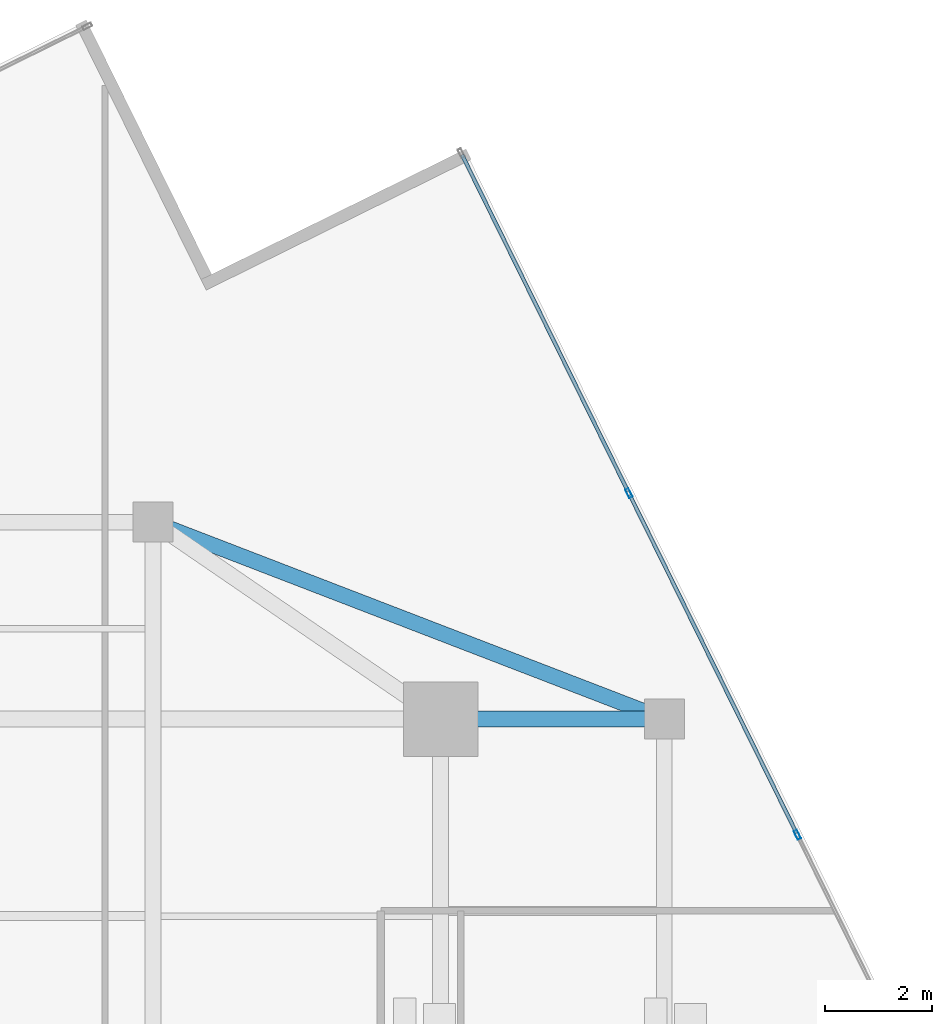
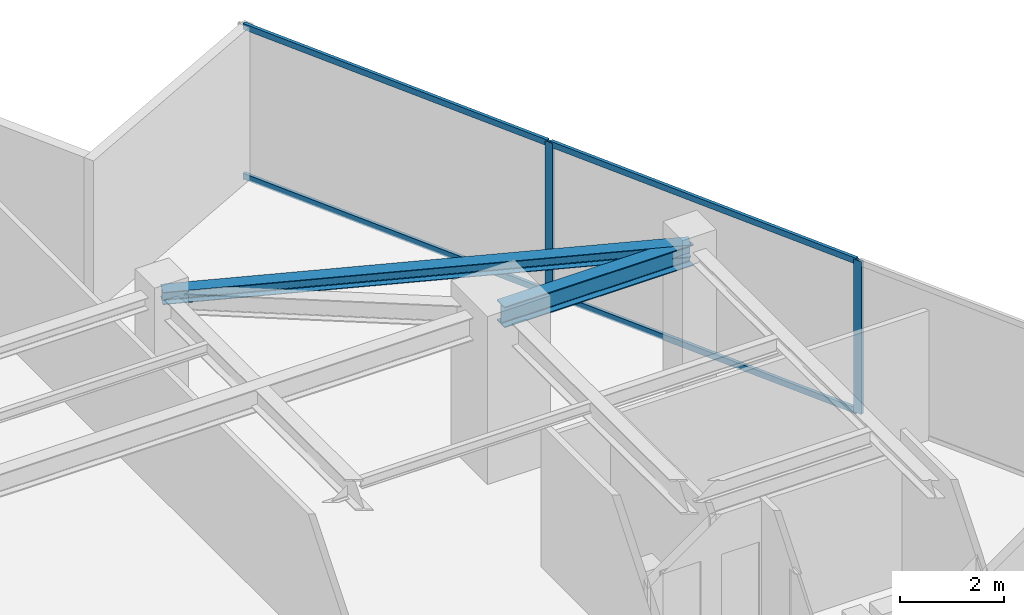
# One storey, part 16 of 22: 6 members, 2 beams, 1 element without a shape of its own.
"""IFC4 building model written with IfcOpenShell, lengths in metres."""

from ifc_helpers import new_model, si_unit, direction, frame, origin, origin_2d, place, context, subcontext, project, spatial, hollow_rectangle, i_section, extrude, source, transform, mapped, material, material_profile, profile_set, type_object, type_shapes, element, aggregate, save


model = new_model("IFC4")

# Units and contexts
model_context = context("Model", 3, precision=1e-05, world=origin(), true_north=direction((0.0, 1.0)))
body_context = subcontext(model_context, "Body", "Model", "MODEL_VIEW")
ifc_project = project(units=[si_unit("LENGTHUNIT", "METRE"), si_unit("AREAUNIT", "SQUARE_METRE"), si_unit("VOLUMEUNIT", "CUBIC_METRE"), si_unit("PLANEANGLEUNIT", "RADIAN"), si_unit("MASSUNIT", "GRAM", prefix="KILO")], contexts=[model_context])

# Site, building, storey
site_placement = place(None, origin())
site = spatial("IfcSite", under=ifc_project, at=site_placement, CompositionType="ELEMENT")
building_placement = place(site_placement, origin())
building = spatial("IfcBuilding", under=site, at=building_placement, Name="Krantzveldt Concourse Tower", CompositionType="ELEMENT")
storey_placement = place(building_placement, frame((0.0, 0.0, 314.800048828125)))
storey = spatial("IfcBuildingStorey", under=building, at=storey_placement, Name="L77", CompositionType="ELEMENT", Elevation=314.800048828125)

# Beams
ifc_material_1 = material(Name="Steel S355JR", Category="steel")
ifc_material_profile_1 = material_profile(ifc_material_1, i_section(OverallWidth=0.300048828125, OverallDepth=0.489990234375, WebThickness=0.011962890625, FlangeThickness=0.02294921875, FilletRadius=0.027099609375, at=origin_2d()), Name="Steel S355JR", Category="steel")
ifc_profile_set_1 = profile_set([ifc_material_profile_1], Name="Steel S355JR - HEA 500")
beam_type_1 = type_object("IfcBeamType", Name="BM-B-HEA500", PredefinedType="BEAM", material=ifc_profile_set_1)
shared_shape_1 = source(origin(), body_context, "Body", "SweptSolid", [
    extrude(i_section(OverallWidth=0.300048828125, OverallDepth=0.489990234375, WebThickness=0.011962890625, FlangeThickness=0.02294921875, FilletRadius=0.027099609375, at=origin_2d()), origin(), (0.0, 0.0, 1.0), 4.199951171875),
])
type_shapes(beam_type_1, [shared_shape_1])
beam_1_placement = place(storey_placement, frame((46.800048828125, 37.5, 3.344970703125), z_axis=(1.0, 0.0, 0.0), x_axis=(0.0, 1.0, 0.0)))
element("IfcBeam", 1, at=beam_1_placement, inside=storey, type_object=beam_type_1, Name="L77 Tower Girder BR-RR3", PredefinedType="BEAM", context=body_context, shape_type="MappedRepresentation", body=[
    mapped(shared_shape_1, transform((0.0, 0.0, 0.0), x_axis=(1.0, 0.0, 0.0), y_axis=(0.0, 1.0, 0.0), z_axis=(0.0, 0.0, 1.0), scale=1.0)),
])
ifc_material_profile_2 = material_profile(ifc_material_1, i_section(OverallWidth=0.2900390625, OverallDepth=0.2900390625, WebThickness=0.008544921875, FlangeThickness=0.013916015625, FilletRadius=0.027099609375, at=origin_2d()), Name="Steel S355JR", Category="steel")
ifc_profile_set_2 = profile_set([ifc_material_profile_2], Name="Steel S355JR - HEA 300")
beam_type_2 = type_object("IfcBeamType", Name="BM-SP-HEA300", PredefinedType="SPANDREL", material=ifc_profile_set_2)
shared_shape_2 = source(origin(), body_context, "Body", "SweptSolid", [
    extrude(i_section(OverallWidth=0.2900390625, OverallDepth=0.2900390625, WebThickness=0.008544921875, FlangeThickness=0.013916015625, FilletRadius=0.027099609375, at=origin_2d()), origin(), (0.0, 0.0, 1.0), 10.288330078125),
])
type_shapes(beam_type_2, [shared_shape_2])
beam_2_placement = place(storey_placement, frame((41.39990234375, 41.199951171875, 3.445068359375), z_axis=(0.933097690408, -0.359622997257, 0.0), x_axis=(0.359622997257, 0.933097690408, 0.0)))
element("IfcBeam", 2, at=beam_2_placement, inside=storey, type_object=beam_type_2, Name="L77 Tower Girder SP-R05", PredefinedType="SPANDREL", context=body_context, shape_type="MappedRepresentation", body=[
    mapped(shared_shape_2, transform((0.0, 0.0, 0.0), x_axis=(1.0, 0.0, 0.0), y_axis=(0.0, 1.0, 0.0), z_axis=(0.0, 0.0, 1.0), scale=1.0)),
])

# Curtain wall, members
ifc_material_2 = material(Name="Anodised aluminium 6063-T6", Category="aluminium")
curtain_wall_type = type_object("IfcCurtainWallType", Name="CW4", PredefinedType="USERDEFINED", material=ifc_material_2)
curtain_wall_placement = place(storey_placement, origin())
curtain_wall = element("IfcCurtainWall", 3, at=curtain_wall_placement, inside=storey, type_object=curtain_wall_type, Name="CW-L77-F10", ObjectType="UNITISED CURTAIN WALL", PredefinedType="USERDEFINED")
ifc_material_profile_3 = material_profile(ifc_material_2, hollow_rectangle(XDim=0.070068359375, YDim=0.179931640625, WallThickness=0.0048828125, at=origin_2d()), Name="Anodised aluminium 6063-T6", Category="aluminium")
ifc_profile_set_3 = profile_set([ifc_material_profile_3], Name="Anodised aluminium 6063-T6 - ALU-MULL 180x70x5")
member_type_1 = type_object("IfcMemberType", Name="CW-MUL-180", PredefinedType="MULLION", material=ifc_profile_set_3)
shared_shape_3 = source(origin(), body_context, "Body", "SweptSolid", [
    extrude(hollow_rectangle(XDim=0.070068359375, YDim=0.179931640625, WallThickness=0.0048828125, at=origin_2d()), origin(), (0.0, 0.0, 1.0), 3.58984375),
])
type_shapes(member_type_1, [shared_shape_3])
member_1_placement = place(storey_placement, frame((53.498046875, 35.3291015625, 0.0), z_axis=(0.0, 0.0, 1.0), x_axis=(-0.896872829457, -0.442288511927, 0.0)))
member_1 = element("IfcMember", 4, at=member_1_placement, type_object=member_type_1, Name="CW-Z56 mullion 3", PredefinedType="MULLION", context=body_context, shape_type="MappedRepresentation", body=[
    mapped(shared_shape_3, transform((0.0, 0.0, 0.0), x_axis=(1.0, 0.0, 0.0), y_axis=(0.0, 1.0, 0.0), z_axis=(0.0, 0.0, 1.0), scale=1.0)),
])
member_2_placement = place(storey_placement, frame((50.335693359375, 41.74169921875, 0.0), z_axis=(0.0, 0.0, 1.0), x_axis=(-0.896872829457, -0.442288511927, 0.0)))
member_2 = element("IfcMember", 5, at=member_2_placement, type_object=member_type_1, Name="CW-Z56 mullion 4", PredefinedType="MULLION", context=body_context, shape_type="MappedRepresentation", body=[
    mapped(shared_shape_3, transform((0.0, 0.0, 0.0), x_axis=(1.0, 0.0, 0.0), y_axis=(0.0, 1.0, 0.0), z_axis=(0.0, 0.0, 1.0), scale=1.0)),
])
ifc_material_profile_4 = material_profile(ifc_material_2, hollow_rectangle(XDim=0.070068359375, YDim=0.139892578125, WallThickness=0.0048828125, at=origin_2d()), Name="Anodised aluminium 6063-T6", Category="aluminium")
ifc_profile_set_4 = profile_set([ifc_material_profile_4], Name="Anodised aluminium 6063-T6 - ALU-TRAN 140x70x5")
member_type_2 = type_object("IfcMemberType", Name="CW-TRN-150", PredefinedType="USERDEFINED", material=ifc_profile_set_4)
shared_shape_4 = source(origin(), body_context, "Body", "SweptSolid", [
    extrude(hollow_rectangle(XDim=0.070068359375, YDim=0.139892578125, WallThickness=0.0048828125, at=origin_2d()), origin(), (0.0, 0.0, 1.0), 7.044921875),
])
member_3_placement = place(storey_placement, frame((50.320068359375, 41.773193359375, 0.034912109375), z_axis=(-0.442299739391, 0.896867292599, 0.0), x_axis=(-0.896867292599, -0.442299739391, 0.0)))
member_3 = element("IfcMember", 6, at=member_3_placement, type_object=member_type_2, Name="CW-Z56 transom 4.1", ObjectType="TRANSOM", PredefinedType="USERDEFINED", context=body_context, shape_type="MappedRepresentation", body=[
    mapped(shared_shape_4, transform((0.0, 0.0, 0.0), x_axis=(1.0, 0.0, 0.0), y_axis=(0.0, 1.0, 0.0), z_axis=(0.0, 0.0, 1.0), scale=1.0)),
])
member_4_placement = place(storey_placement, frame((50.320068359375, 41.773193359375, 3.554931640625), z_axis=(-0.442299739391, 0.896867292599, 0.0), x_axis=(-0.896867292599, -0.442299739391, 0.0)))
member_4 = element("IfcMember", 7, at=member_4_placement, type_object=member_type_2, Name="CW-Z56 transom 4.2", ObjectType="TRANSOM", PredefinedType="USERDEFINED", context=body_context, shape_type="MappedRepresentation", body=[
    mapped(shared_shape_4, transform((0.0, 0.0, 0.0), x_axis=(1.0, 0.0, 0.0), y_axis=(0.0, 1.0, 0.0), z_axis=(0.0, 0.0, 1.0), scale=1.0)),
])
shared_shape_5 = source(origin(), body_context, "Body", "SweptSolid", [
    extrude(hollow_rectangle(XDim=0.070068359375, YDim=0.139892578125, WallThickness=0.0048828125, at=origin_2d()), origin(), (0.0, 0.0, 1.0), 7.080078125),
])
type_shapes(member_type_2, [shared_shape_4, shared_shape_5])
member_5_placement = place(storey_placement, frame((53.482421875, 35.3603515625, 0.034912109375), z_axis=(-0.442282604958, 0.896875742426, 0.0), x_axis=(-0.896875742426, -0.442282604958, 0.0)))
member_5 = element("IfcMember", 8, at=member_5_placement, type_object=member_type_2, Name="CW-Z56 transom 3.1", ObjectType="TRANSOM", PredefinedType="USERDEFINED", context=body_context, shape_type="MappedRepresentation", body=[
    mapped(shared_shape_5, transform((0.0, 0.0, 0.0), x_axis=(1.0, 0.0, 0.0), y_axis=(0.0, 1.0, 0.0), z_axis=(0.0, 0.0, 1.0), scale=1.0)),
])
member_6_placement = place(storey_placement, frame((53.482421875, 35.3603515625, 3.554931640625), z_axis=(-0.442282604958, 0.896875742426, 0.0), x_axis=(-0.896875742426, -0.442282604958, 0.0)))
member_6 = element("IfcMember", 9, at=member_6_placement, type_object=member_type_2, Name="CW-Z56 transom 3.2", ObjectType="TRANSOM", PredefinedType="USERDEFINED", context=body_context, shape_type="MappedRepresentation", body=[
    mapped(shared_shape_5, transform((0.0, 0.0, 0.0), x_axis=(1.0, 0.0, 0.0), y_axis=(0.0, 1.0, 0.0), z_axis=(0.0, 0.0, 1.0), scale=1.0)),
])
aggregate(curtain_wall, [member_1, member_2, member_5, member_6, member_3, member_4])

save(model, "model.ifc")
